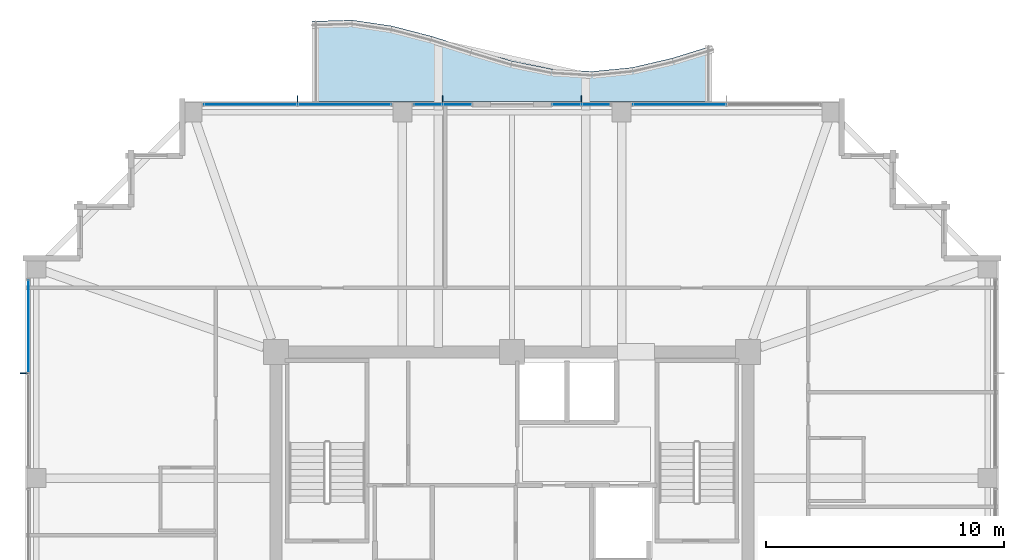
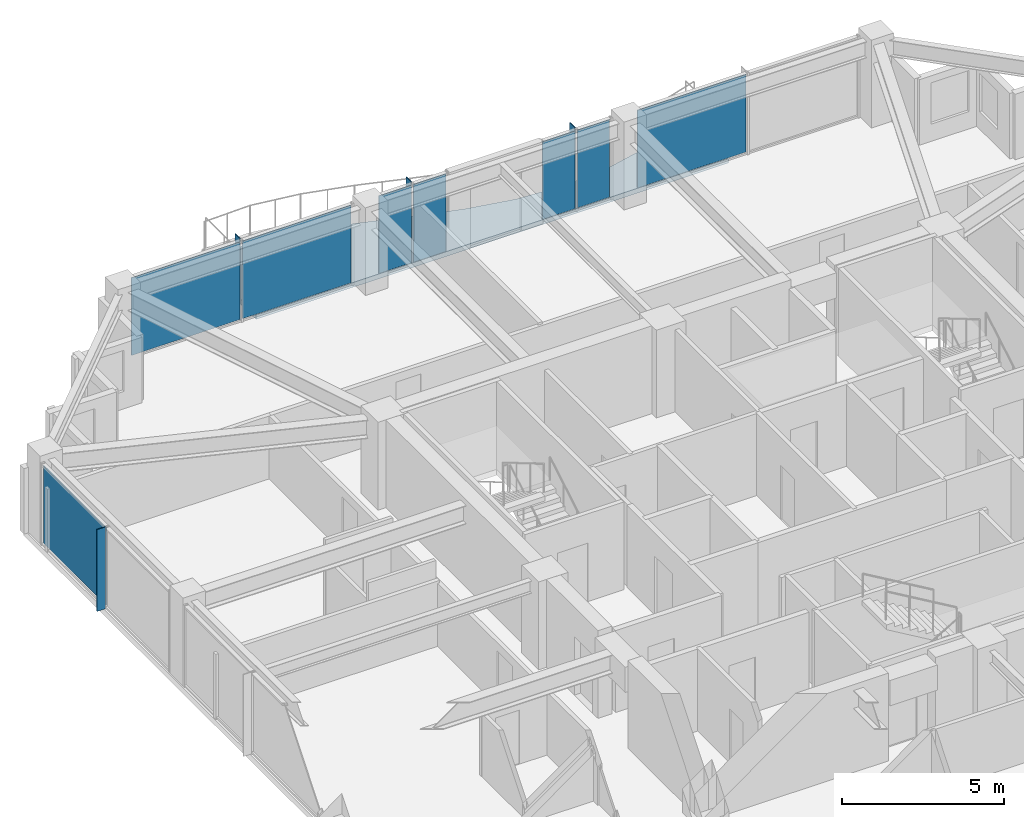
# One storey, part 28 of 36: 12 plates, 1 slab, 5 elements without a shape of their own.
"""IFC4 building model written with IfcOpenShell, lengths in metres."""

import ifcopenshell
import ifcopenshell.guid

model = None  # the IFC model being written
_history = None  # IfcOwnerHistory: only IFC2X3 demands one
_inside = {}  # id of a spatial element -> (the spatial element, [elements in it])
_under = {}  # id of a project, library or spatial element -> (it, [spatial elements below it])
_declared = {}  # id of a project -> (the project, [libraries it declares])
_typed = {}  # id of a type object -> (the type object, [elements of that type])
_made_of = {}  # id of a material, layer set ... -> (it, [elements and type objects made of it])


def new_model(schema):
    """Start an empty IFC model of exactly this schema.

    Asked for "IFC4X3", IfcOpenShell would pick the latest addendum, in which some entities
    have other attributes; the version numbers below select the first issue.
    IFC2X3 requires an IfcOwnerHistory on every rooted entity: one is made here for all.
    """
    global model, _history
    if schema == "IFC4X3":
        model = ifcopenshell.file(schema_version=(4, 3, 0, 0))
    else:
        model = ifcopenshell.file(schema=schema)
    _inside.clear()
    _under.clear()
    _declared.clear()
    _typed.clear()
    _made_of.clear()
    _history = None
    if model.schema == "IFC2X3":
        org = make("IfcOrganization", Name="unknown")
        user = make(
            "IfcPersonAndOrganization",
            ThePerson=make("IfcPerson", FamilyName="unknown"),
            TheOrganization=org,
        )
        app = make(
            "IfcApplication",
            ApplicationDeveloper=org,
            Version="unknown",
            ApplicationFullName="unknown",
            ApplicationIdentifier="unknown",
        )
        _history = make(
            "IfcOwnerHistory",
            OwningUser=user,
            OwningApplication=app,
            ChangeAction="ADDED",
            CreationDate=0,
        )
    return model


def make(cls, **values):
    """One entity of the class cls with the attributes given. An attribute that is None is left unset."""
    return model.create_entity(
        cls, **{name: value for name, value in values.items() if value is not None}
    )


def rooted(cls, **values):
    """An entity with a GlobalId (a new one), such as an element, a storey or a relation."""
    return make(cls, GlobalId=ifcopenshell.guid.new(), OwnerHistory=_history, **values)


def si_unit(unit_type, name, prefix=None):
    """IfcSIUnit, for example si_unit("LENGTHUNIT", "METRE", prefix="MILLI")."""
    return make("IfcSIUnit", UnitType=unit_type, Prefix=prefix, Name=name)


def assignment(units):
    """IfcUnitAssignment: the units of a project."""
    return None if units is None else make("IfcUnitAssignment", Units=units)


def point(xyz):
    """IfcCartesianPoint."""
    return None if xyz is None else make("IfcCartesianPoint", Coordinates=xyz)


def direction(xyz):
    """IfcDirection."""
    return None if xyz is None else make("IfcDirection", DirectionRatios=xyz)


def frame(location, z_axis=None, x_axis=None):
    """IfcAxis2Placement3D, a coordinate frame: its origin and axes. An axis left out is left unset."""
    return make(
        "IfcAxis2Placement3D",
        Location=point(location),
        Axis=direction(z_axis),
        RefDirection=direction(x_axis),
    )


def frame_2d(location, x_axis=None):
    """IfcAxis2Placement2D, a coordinate frame in the plane: its origin and x axis."""
    return make(
        "IfcAxis2Placement2D", Location=point(location), RefDirection=direction(x_axis)
    )


def origin():
    """The frame at (0, 0, 0) with its axes left unset."""
    return frame((0.0, 0.0, 0.0))


def origin_2d():
    """The frame at (0, 0) in the plane with its x axis left unset."""
    return frame_2d((0.0, 0.0))


def place(relative_to, where):
    """IfcLocalPlacement: puts the frame where relative to a parent placement (None: the world)."""
    return make(
        "IfcLocalPlacement", PlacementRelTo=relative_to, RelativePlacement=where
    )


def context(
    kind, dimensions, precision=None, world=None, true_north=None, identifier=None
):
    """IfcGeometricRepresentationContext, for example the 3D "Model" context."""
    return make(
        "IfcGeometricRepresentationContext",
        ContextIdentifier=identifier,
        ContextType=kind,
        CoordinateSpaceDimension=dimensions,
        Precision=precision,
        WorldCoordinateSystem=world,
        TrueNorth=true_north,
    )


def subcontext(parent, identifier, kind, view, scale=None):
    """IfcGeometricRepresentationSubContext, for example "Body" below "Model"."""
    return make(
        "IfcGeometricRepresentationSubContext",
        ContextIdentifier=identifier,
        ContextType=kind,
        ParentContext=parent,
        TargetScale=scale,
        TargetView=view,
    )


def project(units=None, contexts=None):
    """IfcProject with its units and contexts."""
    return rooted(
        "IfcProject",
        Name="project",
        RepresentationContexts=contexts,
        UnitsInContext=assignment(units),
    )


def spatial(cls, under=None, at=None, **own):
    """A site, building, storey or space (cls), placed at a placement, below another one or the project."""
    s = rooted(cls, ObjectPlacement=at, **own)
    if under is not None:
        _under.setdefault(under.id(), (under, []))[1].append(s)
    return s


def polyline(points):
    """IfcPolyline through the points."""
    return make("IfcPolyline", Points=[point(p) for p in points])


def profile(cls, at=None, kind="AREA", **sizes):
    """A parametric profile (cls). Its sizes go by their IFC names, for example OverallWidth=200.0."""
    return make(cls, ProfileType=kind, Position=at, **sizes)


def rectangle(**sizes):
    """IfcRectangleProfileDef."""
    return profile("IfcRectangleProfileDef", **sizes)


def outline(outer, holes=None, kind="AREA"):
    """IfcArbitraryClosedProfileDef: a profile drawn as a closed curve; with holes, ...WithVoids."""
    if holes is None:
        return make("IfcArbitraryClosedProfileDef", ProfileType=kind, OuterCurve=outer)
    return make(
        "IfcArbitraryProfileDefWithVoids",
        ProfileType=kind,
        OuterCurve=outer,
        InnerCurves=holes,
    )


def extrude(swept, where, along, depth):
    """IfcExtrudedAreaSolid: the profile swept, set in the frame where, extruded along a direction by depth."""
    return make(
        "IfcExtrudedAreaSolid",
        SweptArea=swept,
        Position=where,
        ExtrudedDirection=direction(along),
        Depth=depth,
    )


def shape(context_of_items, identifier, shape_type, items):
    """IfcShapeRepresentation: the items that make up one representation, for example the "Body"."""
    return make(
        "IfcShapeRepresentation",
        ContextOfItems=context_of_items,
        RepresentationIdentifier=identifier,
        RepresentationType=shape_type,
        Items=items,
    )


def material(Name=None, Category=None):
    """IfcMaterial."""
    return make("IfcMaterial", Name=Name, Category=Category)


def layer(
    of_material, thickness, ventilated=None, Name=None, Category=None, Priority=None
):
    """IfcMaterialLayer: one layer of a wall or slab, of a material (None: an air gap)."""
    return make(
        "IfcMaterialLayer",
        Material=of_material,
        LayerThickness=thickness,
        IsVentilated=ventilated,
        Name=Name,
        Category=Category,
        Priority=Priority,
    )


def layer_set(layers, Name=None):
    """IfcMaterialLayerSet."""
    return make("IfcMaterialLayerSet", MaterialLayers=layers, LayerSetName=Name)


def made_of(thing, what):
    """Note that an element or type object is made of a material, layer set ...; save() writes the relation."""
    if what is not None:
        _made_of.setdefault(what.id(), (what, []))[1].append(thing)
    return thing


def type_object(cls, material=None, **own):
    """A type object (cls), such as IfcWallType, which elements share."""
    return made_of(rooted(cls, **own), material)


def element(
    cls,
    number,
    at=None,
    inside=None,
    cuts=None,
    type_object=None,
    material=None,
    context=None,
    identifier="Body",
    shape_type=None,
    held_by="IfcProductDefinitionShape",
    body=None,
    shapes=None,
    **own,
):
    """One element of the class cls, such as IfcWall. Its Tag is "e" and its number.

    at: its placement. inside: the storey or other place that contains it. cuts: it is an
    opening in that element (IfcRelVoidsElement). A single representation is given by context,
    identifier, shape_type and body (its items); several are given by shapes. held_by: the class
    of the entity that holds the representations. save() writes the other relations.
    """
    e = rooted(cls, Tag="e%d" % number, ObjectPlacement=at, **own)
    if body is not None:
        shapes = [shape(context, identifier, shape_type, body)]
    if shapes is not None:
        e.Representation = make(held_by, Representations=shapes)
    if inside is not None:
        _inside.setdefault(inside.id(), (inside, []))[1].append(e)
    if cuts is not None:
        rooted(
            "IfcRelVoidsElement", RelatingBuildingElement=cuts, RelatedOpeningElement=e
        )
    if type_object is not None:
        _typed.setdefault(type_object.id(), (type_object, []))[1].append(e)
    return made_of(e, material)


def aggregate(whole, parts):
    """IfcRelAggregates: a whole, such as a stair, and the parts it consists of."""
    return rooted("IfcRelAggregates", RelatingObject=whole, RelatedObjects=parts)


def save(model, path):
    """Write the relations noted so far, then the file.

    IfcRelAggregates (storeys below a building ...), IfcRelContainedInSpatialStructure (elements
    in a storey), IfcRelDefinesByType, IfcRelAssociatesMaterial and IfcRelDeclares: one each for
    every whole, place, type object, material and project.
    """
    for whole, parts in _under.values():
        aggregate(whole, parts)
    for where, things in _inside.values():
        rooted(
            "IfcRelContainedInSpatialStructure",
            RelatedElements=things,
            RelatingStructure=where,
        )
    for kind, things in _typed.values():
        rooted("IfcRelDefinesByType", RelatedObjects=things, RelatingType=kind)
    for what, things in _made_of.values():
        rooted("IfcRelAssociatesMaterial", RelatedObjects=things, RelatingMaterial=what)
    for by, libraries in _declared.values():
        rooted("IfcRelDeclares", RelatingContext=by, RelatedDefinitions=libraries)
    model.write(path)


model = new_model("IFC4")

# Units and contexts
model_context = context("Model", 3, precision=1e-05, world=origin(), true_north=direction((0.0, 1.0)))
body_context = subcontext(model_context, "Body", "Model", "MODEL_VIEW")
ifc_project = project(units=[si_unit("LENGTHUNIT", "METRE"), si_unit("AREAUNIT", "SQUARE_METRE"), si_unit("VOLUMEUNIT", "CUBIC_METRE"), si_unit("PLANEANGLEUNIT", "RADIAN"), si_unit("MASSUNIT", "GRAM", prefix="KILO")], contexts=[model_context])

# Site, building, storey
site_placement = place(None, origin())
site = spatial("IfcSite", under=ifc_project, at=site_placement, CompositionType="ELEMENT")
building_placement = place(site_placement, origin())
building = spatial("IfcBuilding", under=site, at=building_placement, Name="Kolvaren Belvedere", CompositionType="ELEMENT")
storey_placement = place(building_placement, frame((0.0, 0.0, 193.199951171875)))
storey = spatial("IfcBuildingStorey", under=building, at=storey_placement, Name="L56", CompositionType="ELEMENT", Elevation=193.199951171875)

# Curtain wall, plates
ifc_material_1 = material(Name="Anodised pale-metal aluminium AA 6063-T6", Category="aluminium")
curtain_wall_type = type_object("IfcCurtainWallType", Name="CW-Z5-HIGH", PredefinedType="NOTDEFINED", material=ifc_material_1)
curtain_wall_1_placement = place(storey_placement, origin())
curtain_wall_1 = element("IfcCurtainWall", 1, at=curtain_wall_1_placement, inside=storey, type_object=curtain_wall_type, Name="L56 Unitised Curtain Wall FCW-L56-N1-B1", PredefinedType="NOTDEFINED")
ifc_material_2 = material(Name="Low-iron triple insulated glass", Category="glass")
ifc_layer_1 = layer(ifc_material_2, 0.028076171875)
ifc_layer_set_1 = layer_set([ifc_layer_1], Name="Low-iron triple insulated glass")
plate_type_1 = type_object("IfcPlateType", Name="CW-PNL-VIS28", PredefinedType="CURTAIN_PANEL", material=ifc_layer_set_1)
plate_1_placement = place(storey_placement, frame((-10.972412109375, 20.280029296875, 0.080078125), z_axis=(0.0, 0.0, 1.0), x_axis=(1.0, 0.0, 0.0)))
plate_1 = element("IfcPlate", 2, at=plate_1_placement, type_object=plate_type_1, Name="FCW-L56-N1-B1 Vision Glazing Panel 1", PredefinedType="CURTAIN_PANEL", context=body_context, shape_type="SweptSolid", body=[
    extrude(rectangle(XDim=3.864990234375, YDim=0.028076171875, at=origin_2d()), origin(), (0.0, 0.0, 1.0), 2.919921875),
])
plate_2_placement = place(storey_placement, frame((-7.027587890625, 20.280029296875, 0.080078125), z_axis=(0.0, 0.0, 1.0), x_axis=(1.0, 0.0, 0.0)))
plate_2 = element("IfcPlate", 3, at=plate_2_placement, type_object=plate_type_1, Name="FCW-L56-N1-B1 Vision Glazing Panel 2", PredefinedType="CURTAIN_PANEL", context=body_context, shape_type="SweptSolid", body=[
    extrude(rectangle(XDim=3.864990234375, YDim=0.028076171875, at=origin_2d()), origin(), (0.0, 0.0, 1.0), 2.919921875),
])
aggregate(curtain_wall_1, [plate_1, plate_2])

curtain_wall_2_placement = place(storey_placement, origin())
curtain_wall_2 = element("IfcCurtainWall", 4, at=curtain_wall_2_placement, inside=storey, type_object=curtain_wall_type, Name="L56 Unitised Curtain Wall FCW-L56-N1-B2", PredefinedType="NOTDEFINED")
plate_3_placement = place(storey_placement, frame((-3.52880859375, 20.280029296875, 0.080078125), z_axis=(0.0, 0.0, 1.0), x_axis=(1.0, 0.0, 0.0)))
plate_3 = element("IfcPlate", 5, at=plate_3_placement, type_object=plate_type_1, Name="FCW-L56-N1-B2 Vision Glazing Panel 1", PredefinedType="CURTAIN_PANEL", context=body_context, shape_type="SweptSolid", body=[
    extrude(rectangle(XDim=1.152587890625, YDim=0.028076171875, at=origin_2d()), origin(), (0.0, 0.0, 1.0), 2.919921875),
])
plate_4_placement = place(storey_placement, frame((-2.296142578125, 20.280029296875, 0.080078125), z_axis=(0.0, 0.0, 1.0), x_axis=(1.0, 0.0, 0.0)))
plate_4 = element("IfcPlate", 6, at=plate_4_placement, type_object=plate_type_1, Name="FCW-L56-N1-B2 Vision Glazing Panel 2", PredefinedType="CURTAIN_PANEL", context=body_context, shape_type="SweptSolid", body=[
    extrude(rectangle(XDim=1.152587890625, YDim=0.028076171875, at=origin_2d()), origin(), (0.0, 0.0, 1.0), 2.919921875),
])
aggregate(curtain_wall_2, [plate_3, plate_4])

curtain_wall_3_placement = place(storey_placement, origin())
curtain_wall_3 = element("IfcCurtainWall", 7, at=curtain_wall_3_placement, inside=storey, type_object=curtain_wall_type, Name="L56 Unitised Curtain Wall FCW-L56-N2-B1", PredefinedType="NOTDEFINED")
plate_5_placement = place(storey_placement, frame((2.296142578125, 20.280029296875, 0.080078125), z_axis=(0.0, 0.0, 1.0), x_axis=(1.0, 0.0, 0.0)))
plate_5 = element("IfcPlate", 8, at=plate_5_placement, type_object=plate_type_1, Name="FCW-L56-N2-B1 Vision Glazing Panel 1", PredefinedType="CURTAIN_PANEL", context=body_context, shape_type="SweptSolid", body=[
    extrude(rectangle(XDim=1.152587890625, YDim=0.028076171875, at=origin_2d()), origin(), (0.0, 0.0, 1.0), 2.919921875),
])
plate_6_placement = place(storey_placement, frame((3.52880859375, 20.280029296875, 0.080078125), z_axis=(0.0, 0.0, 1.0), x_axis=(1.0, 0.0, 0.0)))
plate_6 = element("IfcPlate", 9, at=plate_6_placement, type_object=plate_type_1, Name="FCW-L56-N2-B1 Vision Glazing Panel 2", PredefinedType="CURTAIN_PANEL", context=body_context, shape_type="SweptSolid", body=[
    extrude(rectangle(XDim=1.152587890625, YDim=0.028076171875, at=origin_2d()), origin(), (0.0, 0.0, 1.0), 2.919921875),
])
aggregate(curtain_wall_3, [plate_5, plate_6])

# Curtain wall, plate
curtain_wall_4_placement = place(storey_placement, origin())
curtain_wall_4 = element("IfcCurtainWall", 10, at=curtain_wall_4_placement, inside=storey, type_object=curtain_wall_type, Name="L56 Unitised Curtain Wall FCW-L56-N2-B2", PredefinedType="NOTDEFINED")
plate_7_placement = place(storey_placement, frame((7.027587890625, 20.280029296875, 0.080078125), z_axis=(0.0, 0.0, 1.0), x_axis=(1.0, 0.0, 0.0)))
plate_7 = element("IfcPlate", 11, at=plate_7_placement, type_object=plate_type_1, Name="FCW-L56-N2-B2 Vision Glazing Panel 1", PredefinedType="CURTAIN_PANEL", context=body_context, shape_type="SweptSolid", body=[
    extrude(rectangle(XDim=3.864990234375, YDim=0.028076171875, at=origin_2d()), origin(), (0.0, 0.0, 1.0), 2.919921875),
])
aggregate(curtain_wall_4, [plate_7])

curtain_wall_5_placement = place(storey_placement, origin())
curtain_wall_5 = element("IfcCurtainWall", 12, at=curtain_wall_5_placement, inside=storey, type_object=curtain_wall_type, Name="L56 Unitised Curtain Wall FCW-L56-W-B3", PredefinedType="NOTDEFINED")
plate_8_placement = place(storey_placement, frame((-20.280029296875, 10.972412109375, 0.080078125), z_axis=(0.0, 0.0, 1.0), x_axis=(0.0, 1.0, 0.0)))
plate_8 = element("IfcPlate", 13, at=plate_8_placement, type_object=plate_type_1, Name="FCW-L56-W-B3 Vision Glazing Panel 2", PredefinedType="CURTAIN_PANEL", context=body_context, shape_type="SweptSolid", body=[
    extrude(rectangle(XDim=3.864990234375, YDim=0.028076171875, at=origin_2d()), origin(), (0.0, 0.0, 1.0), 2.919921875),
])
aggregate(curtain_wall_5, [plate_8])

# Plates
ifc_material_3 = material(Name="Anodised pale-metal aluminium AA 6063-T6", Category="aluminium")
ifc_layer_2 = layer(ifc_material_3, 0.030029296875)
ifc_layer_set_2 = layer_set([ifc_layer_2], Name="Anodised pale-metal aluminium AA 6063-T6")
plate_type_2 = type_object("IfcPlateType", Name="FIN-VERT-300", PredefinedType="USERDEFINED", material=ifc_layer_set_2)
for number, where, z_axis, x_axis, name in (
    (14, (-9.0, 20.489990234375, 0.0), (0.0, 0.0, 1.0), (0.0, 1.0, 0.0), "L56 Pale-Metal Vertical Shading Fin FCW-L56-N1-B1-1"),
    (15, (-2.91259765625, 20.489990234375, 0.0), (0.0, 0.0, 1.0), (0.0, 1.0, 0.0), "L56 Pale-Metal Vertical Shading Fin FCW-L56-N1-B2-1"),
    (16, (2.91259765625, 20.489990234375, 0.0), (0.0, 0.0, 1.0), (0.0, 1.0, 0.0), "L56 Pale-Metal Vertical Shading Fin FCW-L56-N2-B1-1"),
    (17, (-20.489990234375, 9.0, 0.0), (0.0, 0.0, 1.0), (1.0, 0.0, 0.0), "L56 Pale-Metal Vertical Shading Fin FCW-L56-W-B3-1"),
):
    element("IfcPlate", number, at=place(storey_placement, frame(where, z_axis=z_axis, x_axis=x_axis)), inside=storey, type_object=plate_type_2, Name=name, ObjectType="VERTICAL FIN", PredefinedType="USERDEFINED", context=body_context, shape_type="SweptSolid", body=[
        extrude(rectangle(XDim=0.300048828125, YDim=0.030029296875, at=origin_2d()), origin(), (0.0, 0.0, 1.0), 3.080078125),
    ])

# Slab
ifc_material_4 = material(Name="Concrete C50/60", Category="concrete")
ifc_layer_3 = layer(ifc_material_4, 0.179931640625)
ifc_layer_set_3 = layer_set([ifc_layer_3], Name="Concrete C50/60")
slab_type = type_object("IfcSlabType", Name="SL-BAL-180", PredefinedType="FLOOR", material=ifc_layer_set_3)
slab_placement = place(storey_placement, frame((0.0, 0.0, -0.219970703125)))
element("IfcSlab", 18, at=slab_placement, inside=storey, type_object=slab_type, Name="L56 Planted Balcony BAL-N", PredefinedType="FLOOR", context=body_context, shape_type="SweptSolid", body=[
    extrude(outline(polyline([(-8.39990234375, 20.39990234375), (-6.719970703125, 20.39990234375), (-5.0400390625, 20.39990234375), (-3.360107421875, 20.39990234375), (-1.679931640625, 20.39990234375), (0.0, 20.39990234375), (1.679931640625, 20.39990234375), (3.360107421875, 20.39990234375), (5.0400390625, 20.39990234375), (6.719970703125, 20.39990234375), (8.39990234375, 20.39990234375), (8.39990234375, 22.739990234375), (6.719970703125, 22.2197265625), (5.0400390625, 21.828125), (3.360107421875, 21.662109375), (1.679931640625, 21.7626953125), (0.0, 22.105224609375), (-1.679931640625, 22.6044921875), (-3.360107421875, 23.1376953125), (-5.0400390625, 23.572265625), (-6.719970703125, 23.820068359375), (-8.39990234375, 23.76708984375), (-8.39990234375, 20.39990234375)])), origin(), (0.0, 0.0, 1.0), 0.179931640625),
])

save(model, "model.ifc")
